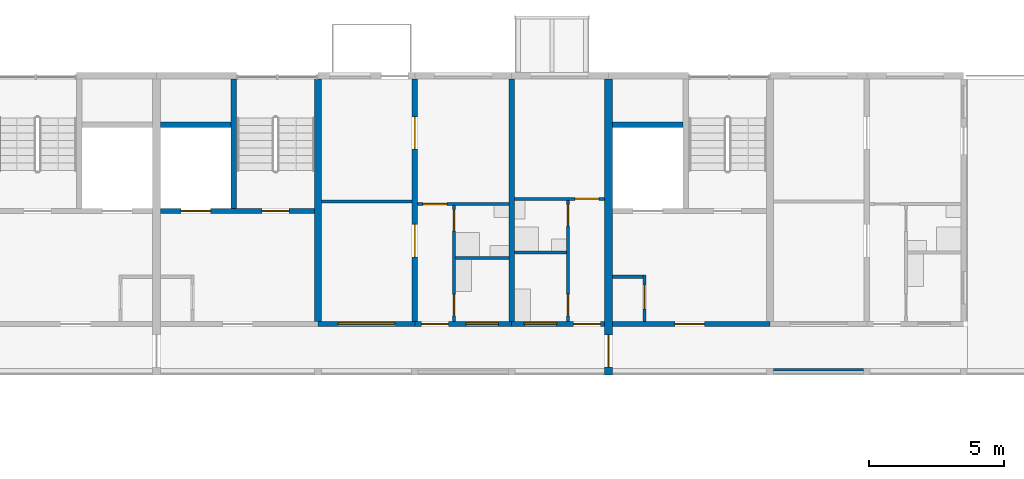
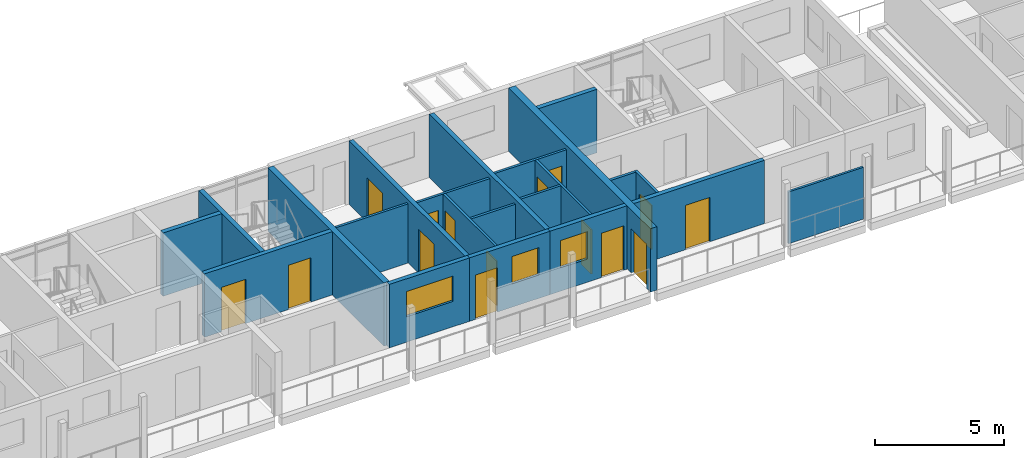
# One storey, part 35 of 93: 22 walls, 15 doors, 3 windows, 18 openings.
"""IFC4 building model written with IfcOpenShell, lengths in metres."""

from ifc_helpers import new_model, si_unit, direction, frame, frame_2d, origin, place, context, subcontext, project, spatial, rectangle, extrude, material, layer, layer_set, type_object, element, fill, save


model = new_model("IFC4")

# Units and contexts
model_context = context("Model", 3, precision=1e-05, world=origin(), true_north=direction((0.0, 1.0)))
body_context = subcontext(model_context, "Body", "Model", "MODEL_VIEW")
ifc_project = project(units=[si_unit("LENGTHUNIT", "METRE"), si_unit("AREAUNIT", "SQUARE_METRE"), si_unit("VOLUMEUNIT", "CUBIC_METRE"), si_unit("PLANEANGLEUNIT", "RADIAN"), si_unit("MASSUNIT", "GRAM", prefix="KILO")], contexts=[model_context])

# Site, building, storey
site_placement = place(None, origin())
site = spatial("IfcSite", under=ifc_project, at=site_placement, CompositionType="ELEMENT")
building_placement = place(site_placement, origin())
building = spatial("IfcBuilding", under=site, at=building_placement, Name="Ridgestep Commons", CompositionType="ELEMENT")
storey_placement = place(building_placement, frame((0.0, 0.0, 18.0)))
storey = spatial("IfcBuildingStorey", under=building, at=storey_placement, Name="L06", CompositionType="ELEMENT", Elevation=18.0)

# Wall
ifc_material_1 = material(Name="Concrete C30/37", Category="concrete")
ifc_layer_1 = layer(ifc_material_1, 0.25)
ifc_layer_set_1 = layer_set([ifc_layer_1], Name="Core cross wall 250")
wall_type_1 = type_object("IfcWallType", Name="Core cross wall 250", PredefinedType="SHEAR", material=ifc_layer_set_1)
wall_1_placement = place(storey_placement, frame((34.800048828125, 68.0, 0.0), z_axis=(0.0, 0.0, 1.0), x_axis=(0.0, 1.0, 0.0)))
element("IfcWall", 1, at=wall_1_placement, inside=storey, type_object=wall_type_1, Name="Cross wall B-06-0348", PredefinedType="SHEAR", context=body_context, shape_type="SweptSolid", body=[
    extrude(rectangle(XDim=9.0, YDim=0.25, at=frame_2d((4.5, 0.0))), origin(), (0.0, 0.0, 1.0), 3.0),
])

# Wall, opening, door
ifc_material_2 = material(Name="Concrete C30/37", Category="concrete")
ifc_layer_2 = layer(ifc_material_2, 0.199951171875)
ifc_layer_set_2 = layer_set([ifc_layer_2], Name="Core south wall 200")
wall_type_2 = type_object("IfcWallType", Name="Core south wall 200", PredefinedType="SHEAR", material=ifc_layer_set_2)
wall_2_placement = place(storey_placement, frame((45.75, 67.89990234375, 0.0), z_axis=(0.0, 0.0, 1.0), x_axis=(1.0, 0.0, 0.0)))
wall_2 = element("IfcWall", 2, at=wall_2_placement, inside=storey, type_object=wall_type_2, Name="Core south wall B3C L06", PredefinedType="SHEAR", context=body_context, shape_type="SweptSolid", body=[
    extrude(rectangle(XDim=5.85009765625, YDim=0.199951171875, at=frame_2d((2.925048828125, 0.0))), origin(), (0.0, 0.0, 1.0), 3.0),
])
opening_1_placement = place(wall_2_placement, frame((2.3125, 0.0, 0.0)))
opening_1 = element("IfcOpeningElement", 3, at=opening_1_placement, cuts=wall_2, Name="Opening B3C/06/1", PredefinedType="OPENING", context=body_context, shape_type="SweptSolid", body=[
    extrude(rectangle(XDim=1.10009765625, YDim=2.10009765625, at=frame_2d((0.550048828125, 1.050048828125))), frame((0.0, 0.10986328125, 0.0), z_axis=(0.0, -1.0, 0.0), x_axis=(1.0, 0.0, 0.0)), (0.0, 0.0, 1.0), 0.219970703125),
])
ifc_material_3 = material(Name="Steel fire door", Category="steel")
door_type_1 = type_object("IfcDoorType", Name="Lobby door 1100 x 2100 FD60", OperationType="NOTDEFINED", PredefinedType="DOOR", material=ifc_material_3)
door_1_placement = place(opening_1_placement, origin())
door_1 = element("IfcDoor", 4, at=door_1_placement, inside=storey, type_object=door_type_1, Name="Lobby door B3C/06/1", OperationType="SINGLE_SWING_LEFT", OverallHeight=2.10009765625, OverallWidth=1.10009765625, PredefinedType="DOOR", context=body_context, shape_type="SweptSolid", body=[
    extrude(rectangle(XDim=1.10009765625, YDim=2.10009765625, at=frame_2d((0.550048828125, 1.050048828125))), frame((0.0, 0.02490234375, 0.0), z_axis=(0.0, -1.0, 0.0), x_axis=(1.0, 0.0, 0.0)), (0.0, 0.0, 1.0), 0.050048828125),
])
fill(opening_1, door_1)

ifc_material_4 = material(Name="Concrete C30/37", Category="concrete")
ifc_layer_3 = layer(ifc_material_4, 0.1201171875)
ifc_layer_set_3 = layer_set([ifc_layer_3], Name="Core wall 120")
wall_type_3 = type_object("IfcWallType", Name="Core wall 120", PredefinedType="SHEAR", material=ifc_layer_set_3)
wall_3_placement = place(storey_placement, frame((46.93994140625, 68.0, 0.0), z_axis=(0.0, 0.0, 1.0), x_axis=(0.0, 1.0, 0.0)))
wall_3 = element("IfcWall", 5, at=wall_3_placement, inside=storey, type_object=wall_type_3, Name="Core riser w wall B3C L06", PredefinedType="SHEAR", context=body_context, shape_type="SweptSolid", body=[
    extrude(rectangle(XDim=1.719970703125, YDim=0.1201171875, at=frame_2d((0.85986328125, 0.0))), origin(), (0.0, 0.0, 1.0), 3.0),
])
opening_2_placement = place(wall_3_placement, frame((0.449951171875, 0.0, 0.0)))
opening_2 = element("IfcOpeningElement", 6, at=opening_2_placement, cuts=wall_3, Name="Opening B3C/06/4", PredefinedType="OPENING", context=body_context, shape_type="SweptSolid", body=[
    extrude(rectangle(XDim=0.89990234375, YDim=2.10009765625, at=frame_2d((0.449951171875, 1.050048828125))), frame((0.0, 0.070068359375, 0.0), z_axis=(0.0, -1.0, 0.0), x_axis=(1.0, 0.0, 0.0)), (0.0, 0.0, 1.0), 0.14013671875),
])
ifc_material_5 = material(Name="Steel fire door", Category="steel")
door_type_2 = type_object("IfcDoorType", Name="Riser door 900 x 2100 FD60", OperationType="NOTDEFINED", PredefinedType="DOOR", material=ifc_material_5)
door_2_placement = place(opening_2_placement, origin())
door_2 = element("IfcDoor", 7, at=door_2_placement, inside=storey, type_object=door_type_2, Name="Riser door B3C/06/4", OperationType="SINGLE_SWING_RIGHT", OverallHeight=2.10009765625, OverallWidth=0.89990234375, PredefinedType="DOOR", context=body_context, shape_type="SweptSolid", body=[
    extrude(rectangle(XDim=0.89990234375, YDim=2.10009765625, at=frame_2d((0.449951171875, 1.050048828125))), frame((0.0, 0.02490234375, 0.0), z_axis=(0.0, -1.0, 0.0), x_axis=(1.0, 0.0, 0.0)), (0.0, 0.0, 1.0), 0.050048828125),
])
fill(opening_2, door_2)

# Wall
wall_4_placement = place(storey_placement, frame((45.75, 69.659912109375, 0.0), z_axis=(0.0, 0.0, 1.0), x_axis=(1.0, 0.0, 0.0)))
element("IfcWall", 8, at=wall_4_placement, inside=storey, type_object=wall_type_3, Name="Core riser n wall B3C L06", PredefinedType="SHEAR", context=body_context, shape_type="SweptSolid", body=[
    extrude(rectangle(XDim=1.1298828125, YDim=0.1201171875, at=frame_2d((0.56494140625, 0.0))), origin(), (0.0, 0.0, 1.0), 3.0),
])

# Wall, openings, doors
ifc_material_6 = material(Name="Concrete C30/37", Category="concrete")
ifc_layer_4 = layer(ifc_material_6, 0.199951171875)
ifc_layer_set_4 = layer_set([ifc_layer_4], Name="Core wall 200")
wall_type_4 = type_object("IfcWallType", Name="Core wall 200", PredefinedType="SHEAR", material=ifc_layer_set_4)
wall_5_placement = place(storey_placement, frame((28.949951171875, 72.10009765625, 0.0), z_axis=(0.0, 0.0, 1.0), x_axis=(1.0, 0.0, 0.0)))
wall_5 = element("IfcWall", 9, at=wall_5_placement, inside=storey, type_object=wall_type_4, Name="Core lobby wall B2C L06", PredefinedType="SHEAR", context=body_context, shape_type="SweptSolid", body=[
    extrude(rectangle(XDim=5.72509765625, YDim=0.199951171875, at=frame_2d((2.862548828125, 0.0))), origin(), (0.0, 0.0, 1.0), 3.0),
])
opening_3_placement = place(wall_5_placement, frame((3.77490234375, 0.0, 0.0)))
opening_3 = element("IfcOpeningElement", 10, at=opening_3_placement, cuts=wall_5, Name="Opening B2C/06/2", PredefinedType="OPENING", context=body_context, shape_type="SweptSolid", body=[
    extrude(rectangle(XDim=1.0, YDim=2.10009765625, at=frame_2d((0.5, 1.050048828125))), frame((0.0, 0.10986328125, 0.0), z_axis=(0.0, -1.0, 0.0), x_axis=(1.0, 0.0, 0.0)), (0.0, 0.0, 1.0), 0.219970703125),
])
opening_4_placement = place(wall_5_placement, frame((0.762451171875, 0.0, 0.0)))
opening_4 = element("IfcOpeningElement", 11, at=opening_4_placement, cuts=wall_5, Name="Opening B2C/06/3", PredefinedType="OPENING", context=body_context, shape_type="SweptSolid", body=[
    extrude(rectangle(XDim=1.10009765625, YDim=2.10009765625, at=frame_2d((0.550048828125, 1.050048828125))), frame((0.0, 0.10986328125, 0.0), z_axis=(0.0, -1.0, 0.0), x_axis=(1.0, 0.0, 0.0)), (0.0, 0.0, 1.0), 0.219970703125),
])
ifc_material_7 = material(Name="Stainless steel", Category="steel")
door_type_3 = type_object("IfcDoorType", Name="Lift landing door 1100 x 2100 FD60", OperationType="DOUBLE_DOOR_SLIDING", PredefinedType="DOOR", material=ifc_material_7)
door_3_placement = place(opening_4_placement, origin())
door_3 = element("IfcDoor", 12, at=door_3_placement, inside=storey, type_object=door_type_3, Name="Landing door LD B2C L06", OperationType="DOUBLE_DOOR_SLIDING", OverallHeight=2.10009765625, OverallWidth=1.10009765625, PredefinedType="DOOR", context=body_context, shape_type="SweptSolid", body=[
    extrude(rectangle(XDim=1.10009765625, YDim=2.10009765625, at=frame_2d((0.550048828125, 1.050048828125))), frame((0.0, 0.02490234375, 0.0), z_axis=(0.0, -1.0, 0.0), x_axis=(1.0, 0.0, 0.0)), (0.0, 0.0, 1.0), 0.050048828125),
])
fill(opening_4, door_3)
ifc_material_8 = material(Name="Steel fire door", Category="steel")
door_type_4 = type_object("IfcDoorType", Name="Stair door 1000 x 2100 FD60", OperationType="NOTDEFINED", PredefinedType="DOOR", material=ifc_material_8)
door_4_placement = place(opening_3_placement, origin())
door_4 = element("IfcDoor", 13, at=door_4_placement, inside=storey, type_object=door_type_4, Name="Stair door B2C/06/2", OperationType="SINGLE_SWING_RIGHT", OverallHeight=2.10009765625, OverallWidth=1.0, PredefinedType="DOOR", context=body_context, shape_type="SweptSolid", body=[
    extrude(rectangle(XDim=1.0, YDim=2.10009765625, at=frame_2d((0.5, 1.050048828125))), frame((0.0, 0.02490234375, 0.0), z_axis=(0.0, -1.0, 0.0), x_axis=(1.0, 0.0, 0.0)), (0.0, 0.0, 1.0), 0.050048828125),
])
fill(opening_3, door_4)

# Walls
wall_6_placement = place(storey_placement, frame((31.675048828125, 72.199951171875, 0.0), z_axis=(0.0, 0.0, 1.0), x_axis=(0.0, 1.0, 0.0)))
element("IfcWall", 14, at=wall_6_placement, inside=storey, type_object=wall_type_4, Name="Core stair wall B2C L06", PredefinedType="SHEAR", context=body_context, shape_type="SweptSolid", body=[
    extrude(rectangle(XDim=4.800048828125, YDim=0.199951171875, at=frame_2d((2.39990234375, 0.0))), origin(), (0.0, 0.0, 1.0), 3.0),
])
for number, where, z_axis, x_axis, name in (
    (15, (28.949951171875, 75.300048828125, 0.0), (0.0, 0.0, 1.0), (1.0, 0.0, 0.0), "Core duct wall B2C L06"),
    (16, (45.75, 75.300048828125, 0.0), (0.0, 0.0, 1.0), (1.0, 0.0, 0.0), "Core duct wall B3C L06"),
):
    element("IfcWall", number, at=place(storey_placement, frame(where, z_axis=z_axis, x_axis=x_axis)), inside=storey, type_object=wall_type_4, Name=name, PredefinedType="SHEAR", context=body_context, shape_type="SweptSolid", body=[
        extrude(rectangle(XDim=2.625, YDim=0.199951171875, at=frame_2d((1.3125, 0.0))), origin(), (0.0, 0.0, 1.0), 3.0),
    ])

# Wall, openings, doors
ifc_material_9 = material(Name="Precast concrete C40/50", Category="concrete")
ifc_layer_5 = layer(ifc_material_9, 0.199951171875)
ifc_layer_set_5 = layer_set([ifc_layer_5], Name="Cross wall 200")
wall_type_5 = type_object("IfcWallType", Name="Cross wall 200", PredefinedType="SHEAR", material=ifc_layer_set_5)
wall_7_placement = place(storey_placement, frame((38.39990234375, 68.0, 0.0), z_axis=(0.0, 0.0, 1.0), x_axis=(0.0, 1.0, 0.0)))
wall_7 = element("IfcWall", 17, at=wall_7_placement, inside=storey, type_object=wall_type_5, Name="Cross wall B-06-0384", PredefinedType="SHEAR", context=body_context, shape_type="SweptSolid", body=[
    extrude(rectangle(XDim=9.0, YDim=0.199951171875, at=frame_2d((4.5, 0.0))), origin(), (0.0, 0.0, 1.0), 3.0),
])
opening_5_placement = place(wall_7_placement, frame((2.39990234375, 0.0, 0.0)))
opening_5 = element("IfcOpeningElement", 18, at=opening_5_placement, cuts=wall_7, Name="Opening B2-06b/5", PredefinedType="OPENING", context=body_context, shape_type="SweptSolid", body=[
    extrude(rectangle(XDim=1.199951171875, YDim=2.10009765625, at=frame_2d((0.60009765625, 1.050048828125))), frame((0.0, 0.10986328125, 0.0), z_axis=(0.0, -1.0, 0.0), x_axis=(1.0, 0.0, 0.0)), (0.0, 0.0, 1.0), 0.219970703125),
])
opening_6_placement = place(wall_7_placement, frame((6.39990234375, 0.0, 0.0)))
opening_6 = element("IfcOpeningElement", 19, at=opening_6_placement, cuts=wall_7, Name="Opening B2-06b/6", PredefinedType="OPENING", context=body_context, shape_type="SweptSolid", body=[
    extrude(rectangle(XDim=1.199951171875, YDim=2.10009765625, at=frame_2d((0.60009765625, 1.050048828125))), frame((0.0, 0.10986328125, 0.0), z_axis=(0.0, -1.0, 0.0), x_axis=(1.0, 0.0, 0.0)), (0.0, 0.0, 1.0), 0.219970703125),
])
ifc_material_10 = material(Name="Timber door leaf", Category="wood")
door_type_5 = type_object("IfcDoorType", Name="Double door 1200 x 2100", OperationType="DOUBLE_DOOR_SINGLE_SWING", PredefinedType="DOOR", material=ifc_material_10)
door_5_placement = place(opening_5_placement, origin())
door_5 = element("IfcDoor", 20, at=door_5_placement, inside=storey, type_object=door_type_5, Name="Double door B2-06b/5", OperationType="DOUBLE_DOOR_SINGLE_SWING", OverallHeight=2.10009765625, OverallWidth=1.199951171875, PredefinedType="DOOR", context=body_context, shape_type="SweptSolid", body=[
    extrude(rectangle(XDim=1.199951171875, YDim=2.10009765625, at=frame_2d((0.60009765625, 1.050048828125))), frame((0.0, 0.02490234375, 0.0), z_axis=(0.0, -1.0, 0.0), x_axis=(1.0, 0.0, 0.0)), (0.0, 0.0, 1.0), 0.050048828125),
])
fill(opening_5, door_5)
door_6_placement = place(opening_6_placement, origin())
door_6 = element("IfcDoor", 21, at=door_6_placement, inside=storey, type_object=door_type_5, Name="Double door B2-06b/6", OperationType="DOUBLE_DOOR_SINGLE_SWING", OverallHeight=2.10009765625, OverallWidth=1.199951171875, PredefinedType="DOOR", context=body_context, shape_type="SweptSolid", body=[
    extrude(rectangle(XDim=1.199951171875, YDim=2.10009765625, at=frame_2d((0.60009765625, 1.050048828125))), frame((0.0, 0.02490234375, 0.0), z_axis=(0.0, -1.0, 0.0), x_axis=(1.0, 0.0, 0.0)), (0.0, 0.0, 1.0), 0.050048828125),
])
fill(opening_6, door_6)

# Wall
wall_8_placement = place(storey_placement, frame((42.0, 68.0, 0.0), z_axis=(0.0, 0.0, 1.0), x_axis=(0.0, 1.0, 0.0)))
element("IfcWall", 22, at=wall_8_placement, inside=storey, type_object=wall_type_5, Name="Cross wall B-06-0420", PredefinedType="SHEAR", context=body_context, shape_type="SweptSolid", body=[
    extrude(rectangle(XDim=9.0, YDim=0.199951171875, at=frame_2d((4.5, 0.0))), origin(), (0.0, 0.0, 1.0), 3.0),
])

# Wall, opening, door
ifc_material_11 = material(Name="Precast concrete C40/50", Category="concrete")
ifc_layer_6 = layer(ifc_material_11, 0.300048828125)
ifc_layer_set_6 = layer_set([ifc_layer_6], Name="Division wall 300")
wall_type_6 = type_object("IfcWallType", Name="Division wall 300", PredefinedType="SHEAR", material=ifc_layer_set_6)
wall_9_placement = place(storey_placement, frame((45.60009765625, 66.0, 0.0), z_axis=(0.0, 0.0, 1.0), x_axis=(0.0, 1.0, 0.0)))
wall_9 = element("IfcWall", 23, at=wall_9_placement, inside=storey, type_object=wall_type_6, Name="Cross wall B-06-0456", PredefinedType="SHEAR", context=body_context, shape_type="SweptSolid", body=[
    extrude(rectangle(XDim=11.0, YDim=0.300048828125, at=frame_2d((5.5, 0.0))), origin(), (0.0, 0.0, 1.0), 3.0),
])
opening_7_placement = place(wall_9_placement, frame((0.300048828125, 0.0, 0.0)))
opening_7 = element("IfcOpeningElement", 24, at=opening_7_placement, cuts=wall_9, Name="Opening B/06/G0456", PredefinedType="OPENING", context=body_context, shape_type="SweptSolid", body=[
    extrude(rectangle(XDim=1.199951171875, YDim=2.10009765625, at=frame_2d((0.60009765625, 1.050048828125))), frame((0.0, 0.159912109375, 0.0), z_axis=(0.0, -1.0, 0.0), x_axis=(1.0, 0.0, 0.0)), (0.0, 0.0, 1.0), 0.320068359375),
])
ifc_material_12 = material(Name="Steel fire door", Category="steel")
door_type_6 = type_object("IfcDoorType", Name="Division fire door 1200 x 2100 EI 240", OperationType="DOUBLE_DOOR_SINGLE_SWING", PredefinedType="DOOR", material=ifc_material_12)
door_7_placement = place(opening_7_placement, origin())
door_7 = element("IfcDoor", 25, at=door_7_placement, inside=storey, type_object=door_type_6, Name="Division fire door B/06/G0456", OperationType="DOUBLE_DOOR_SINGLE_SWING", OverallHeight=2.10009765625, OverallWidth=1.199951171875, PredefinedType="DOOR", context=body_context, shape_type="SweptSolid", body=[
    extrude(rectangle(XDim=1.199951171875, YDim=2.10009765625, at=frame_2d((0.60009765625, 1.050048828125))), frame((0.0, 0.02490234375, 0.0), z_axis=(0.0, -1.0, 0.0), x_axis=(1.0, 0.0, 0.0)), (0.0, 0.0, 1.0), 0.050048828125),
])
fill(opening_7, door_7)

# Wall
ifc_material_13 = material(Name="Common brick 110 mm", Category="masonry")
ifc_layer_7 = layer(ifc_material_13, 0.110107421875)
ifc_layer_set_7 = layer_set([ifc_layer_7], Name="Partition 110")
wall_type_7 = type_object("IfcWallType", Name="Partition 110", PredefinedType="PARTITIONING", material=ifc_layer_set_7)
wall_10_placement = place(storey_placement, frame((42.10009765625, 70.554931640625, 0.0), z_axis=(0.0, 0.0, 1.0), x_axis=(1.0, 0.0, 0.0)))
element("IfcWall", 26, at=wall_10_placement, inside=storey, type_object=wall_type_7, Name="Partition B2-06a", PredefinedType="PARTITIONING", context=body_context, shape_type="SweptSolid", body=[
    extrude(rectangle(XDim=1.93994140625, YDim=0.110107421875, at=frame_2d((0.969970703125, 0.0))), origin(), (0.0, 0.0, 1.0), 2.800048828125),
])

# Wall, openings, doors
wall_11_placement = place(storey_placement, frame((44.094970703125, 68.0, 0.0), z_axis=(0.0, 0.0, 1.0), x_axis=(0.0, 1.0, 0.0)))
wall_11 = element("IfcWall", 27, at=wall_11_placement, inside=storey, type_object=wall_type_7, Name="Partition B2-06a", PredefinedType="PARTITIONING", context=body_context, shape_type="SweptSolid", body=[
    extrude(rectangle(XDim=4.5, YDim=0.110107421875, at=frame_2d((2.25, 0.0))), origin(), (0.0, 0.0, 1.0), 2.800048828125),
])
opening_8_placement = place(wall_11_placement, frame((0.199951171875, 0.0, 0.0)))
opening_8 = element("IfcOpeningElement", 28, at=opening_8_placement, cuts=wall_11, Name="Opening B2-06a/2", PredefinedType="OPENING", context=body_context, shape_type="SweptSolid", body=[
    extrude(rectangle(XDim=0.800048828125, YDim=2.10009765625, at=frame_2d((0.39990234375, 1.050048828125))), frame((0.0, 0.06494140625, 0.0), z_axis=(0.0, -1.0, 0.0), x_axis=(1.0, 0.0, 0.0)), (0.0, 0.0, 1.0), 0.130126953125),
])
opening_9_placement = place(wall_11_placement, frame((3.550048828125, 0.0, 0.0)))
opening_9 = element("IfcOpeningElement", 29, at=opening_9_placement, cuts=wall_11, Name="Opening B2-06a/3", PredefinedType="OPENING", context=body_context, shape_type="SweptSolid", body=[
    extrude(rectangle(XDim=0.800048828125, YDim=2.10009765625, at=frame_2d((0.39990234375, 1.050048828125))), frame((0.0, 0.06494140625, 0.0), z_axis=(0.0, -1.0, 0.0), x_axis=(1.0, 0.0, 0.0)), (0.0, 0.0, 1.0), 0.130126953125),
])
ifc_material_14 = material(Name="Timber door leaf", Category="wood")
door_type_7 = type_object("IfcDoorType", Name="Internal door 800 x 2100", OperationType="NOTDEFINED", PredefinedType="DOOR", material=ifc_material_14)
door_8_placement = place(opening_8_placement, origin())
door_8 = element("IfcDoor", 30, at=door_8_placement, inside=storey, type_object=door_type_7, Name="Internal door B2-06a/2", OperationType="SINGLE_SWING_LEFT", OverallHeight=2.10009765625, OverallWidth=0.800048828125, PredefinedType="DOOR", context=body_context, shape_type="SweptSolid", body=[
    extrude(rectangle(XDim=0.800048828125, YDim=2.10009765625, at=frame_2d((0.39990234375, 1.050048828125))), frame((0.0, 0.02490234375, 0.0), z_axis=(0.0, -1.0, 0.0), x_axis=(1.0, 0.0, 0.0)), (0.0, 0.0, 1.0), 0.050048828125),
])
fill(opening_8, door_8)
door_9_placement = place(opening_9_placement, origin())
door_9 = element("IfcDoor", 31, at=door_9_placement, inside=storey, type_object=door_type_7, Name="Internal door B2-06a/3", OperationType="SINGLE_SWING_RIGHT", OverallHeight=2.10009765625, OverallWidth=0.800048828125, PredefinedType="DOOR", context=body_context, shape_type="SweptSolid", body=[
    extrude(rectangle(XDim=0.800048828125, YDim=2.10009765625, at=frame_2d((0.39990234375, 1.050048828125))), frame((0.0, 0.02490234375, 0.0), z_axis=(0.0, -1.0, 0.0), x_axis=(1.0, 0.0, 0.0)), (0.0, 0.0, 1.0), 0.050048828125),
])
fill(opening_9, door_9)

# Wall, opening, door
wall_12_placement = place(storey_placement, frame((42.10009765625, 72.554931640625, 0.0), z_axis=(0.0, 0.0, 1.0), x_axis=(1.0, 0.0, 0.0)))
wall_12 = element("IfcWall", 32, at=wall_12_placement, inside=storey, type_object=wall_type_7, Name="Partition B2-06a", PredefinedType="PARTITIONING", context=body_context, shape_type="SweptSolid", body=[
    extrude(rectangle(XDim=3.349853515625, YDim=0.110107421875, at=frame_2d((1.6748046875, 0.0))), origin(), (0.0, 0.0, 1.0), 2.800048828125),
])
opening_10_placement = place(wall_12_placement, frame((2.25, 0.0, 0.0)))
opening_10 = element("IfcOpeningElement", 33, at=opening_10_placement, cuts=wall_12, Name="Opening B2-06a/4", PredefinedType="OPENING", context=body_context, shape_type="SweptSolid", body=[
    extrude(rectangle(XDim=0.89990234375, YDim=2.10009765625, at=frame_2d((0.449951171875, 1.050048828125))), frame((0.0, 0.06494140625, 0.0), z_axis=(0.0, -1.0, 0.0), x_axis=(1.0, 0.0, 0.0)), (0.0, 0.0, 1.0), 0.130126953125),
])
ifc_material_15 = material(Name="Timber door leaf", Category="wood")
door_type_8 = type_object("IfcDoorType", Name="Internal door 900 x 2100", OperationType="NOTDEFINED", PredefinedType="DOOR", material=ifc_material_15)
door_10_placement = place(opening_10_placement, origin())
door_10 = element("IfcDoor", 34, at=door_10_placement, inside=storey, type_object=door_type_8, Name="Internal door B2-06a/4", OperationType="SINGLE_SWING_LEFT", OverallHeight=2.10009765625, OverallWidth=0.89990234375, PredefinedType="DOOR", context=body_context, shape_type="SweptSolid", body=[
    extrude(rectangle(XDim=0.89990234375, YDim=2.10009765625, at=frame_2d((0.449951171875, 1.050048828125))), frame((0.0, 0.02490234375, 0.0), z_axis=(0.0, -1.0, 0.0), x_axis=(1.0, 0.0, 0.0)), (0.0, 0.0, 1.0), 0.050048828125),
])
fill(opening_10, door_10)

# Wall, openings, doors
wall_13_placement = place(storey_placement, frame((39.85498046875, 68.0, 0.0), z_axis=(0.0, 0.0, 1.0), x_axis=(0.0, 1.0, 0.0)))
wall_13 = element("IfcWall", 35, at=wall_13_placement, inside=storey, type_object=wall_type_7, Name="Partition B2-06b", PredefinedType="PARTITIONING", context=body_context, shape_type="SweptSolid", body=[
    extrude(rectangle(XDim=4.300048828125, YDim=0.110107421875, at=frame_2d((2.14990234375, 0.0))), origin(), (0.0, 0.0, 1.0), 2.800048828125),
])
opening_11_placement = place(wall_13_placement, frame((0.199951171875, 0.0, 0.0)))
opening_11 = element("IfcOpeningElement", 36, at=opening_11_placement, cuts=wall_13, Name="Opening B2-06b/2", PredefinedType="OPENING", context=body_context, shape_type="SweptSolid", body=[
    extrude(rectangle(XDim=0.800048828125, YDim=2.10009765625, at=frame_2d((0.39990234375, 1.050048828125))), frame((0.0, 0.06494140625, 0.0), z_axis=(0.0, -1.0, 0.0), x_axis=(1.0, 0.0, 0.0)), (0.0, 0.0, 1.0), 0.130126953125),
])
opening_12_placement = place(wall_13_placement, frame((3.35009765625, 0.0, 0.0)))
opening_12 = element("IfcOpeningElement", 37, at=opening_12_placement, cuts=wall_13, Name="Opening B2-06b/3", PredefinedType="OPENING", context=body_context, shape_type="SweptSolid", body=[
    extrude(rectangle(XDim=0.800048828125, YDim=2.10009765625, at=frame_2d((0.39990234375, 1.050048828125))), frame((0.0, 0.06494140625, 0.0), z_axis=(0.0, -1.0, 0.0), x_axis=(1.0, 0.0, 0.0)), (0.0, 0.0, 1.0), 0.130126953125),
])
door_11_placement = place(opening_11_placement, origin())
door_11 = element("IfcDoor", 38, at=door_11_placement, inside=storey, type_object=door_type_7, Name="Internal door B2-06b/2", OperationType="SINGLE_SWING_RIGHT", OverallHeight=2.10009765625, OverallWidth=0.800048828125, PredefinedType="DOOR", context=body_context, shape_type="SweptSolid", body=[
    extrude(rectangle(XDim=0.800048828125, YDim=2.10009765625, at=frame_2d((0.39990234375, 1.050048828125))), frame((0.0, 0.02490234375, 0.0), z_axis=(0.0, -1.0, 0.0), x_axis=(1.0, 0.0, 0.0)), (0.0, 0.0, 1.0), 0.050048828125),
])
fill(opening_11, door_11)
door_12_placement = place(opening_12_placement, origin())
door_12 = element("IfcDoor", 39, at=door_12_placement, inside=storey, type_object=door_type_7, Name="Internal door B2-06b/3", OperationType="SINGLE_SWING_LEFT", OverallHeight=2.10009765625, OverallWidth=0.800048828125, PredefinedType="DOOR", context=body_context, shape_type="SweptSolid", body=[
    extrude(rectangle(XDim=0.800048828125, YDim=2.10009765625, at=frame_2d((0.39990234375, 1.050048828125))), frame((0.0, 0.02490234375, 0.0), z_axis=(0.0, -1.0, 0.0), x_axis=(1.0, 0.0, 0.0)), (0.0, 0.0, 1.0), 0.050048828125),
])
fill(opening_12, door_12)

# Wall
wall_14_placement = place(storey_placement, frame((39.909912109375, 70.35498046875, 0.0), z_axis=(0.0, 0.0, 1.0), x_axis=(1.0, 0.0, 0.0)))
element("IfcWall", 40, at=wall_14_placement, inside=storey, type_object=wall_type_7, Name="Partition B2-06b", PredefinedType="PARTITIONING", context=body_context, shape_type="SweptSolid", body=[
    extrude(rectangle(XDim=1.989990234375, YDim=0.110107421875, at=frame_2d((0.9951171875, 0.0))), origin(), (0.0, 0.0, 1.0), 2.800048828125),
])

# Wall, opening, door
wall_15_placement = place(storey_placement, frame((38.5, 72.35498046875, 0.0), z_axis=(0.0, 0.0, 1.0), x_axis=(1.0, 0.0, 0.0)))
wall_15 = element("IfcWall", 41, at=wall_15_placement, inside=storey, type_object=wall_type_7, Name="Partition B2-06b", PredefinedType="PARTITIONING", context=body_context, shape_type="SweptSolid", body=[
    extrude(rectangle(XDim=3.39990234375, YDim=0.110107421875, at=frame_2d((1.699951171875, 0.0))), origin(), (0.0, 0.0, 1.0), 2.800048828125),
])
opening_13_placement = place(wall_15_placement, frame((0.199951171875, 0.0, 0.0)))
opening_13 = element("IfcOpeningElement", 42, at=opening_13_placement, cuts=wall_15, Name="Opening B2-06b/4", PredefinedType="OPENING", context=body_context, shape_type="SweptSolid", body=[
    extrude(rectangle(XDim=0.89990234375, YDim=2.10009765625, at=frame_2d((0.449951171875, 1.050048828125))), frame((0.0, 0.06494140625, 0.0), z_axis=(0.0, -1.0, 0.0), x_axis=(1.0, 0.0, 0.0)), (0.0, 0.0, 1.0), 0.130126953125),
])
door_13_placement = place(opening_13_placement, origin())
door_13 = element("IfcDoor", 43, at=door_13_placement, inside=storey, type_object=door_type_8, Name="Internal door B2-06b/4", OperationType="SINGLE_SWING_LEFT", OverallHeight=2.10009765625, OverallWidth=0.89990234375, PredefinedType="DOOR", context=body_context, shape_type="SweptSolid", body=[
    extrude(rectangle(XDim=0.89990234375, YDim=2.10009765625, at=frame_2d((0.449951171875, 1.050048828125))), frame((0.0, 0.02490234375, 0.0), z_axis=(0.0, -1.0, 0.0), x_axis=(1.0, 0.0, 0.0)), (0.0, 0.0, 1.0), 0.050048828125),
])
fill(opening_13, door_13)

# Walls
wall_16_placement = place(storey_placement, frame((34.925048828125, 72.455078125, 0.0), z_axis=(0.0, 0.0, 1.0), x_axis=(1.0, 0.0, 0.0)))
element("IfcWall", 44, at=wall_16_placement, inside=storey, type_object=wall_type_7, Name="Partition B2-06b", PredefinedType="PARTITIONING", context=body_context, shape_type="SweptSolid", body=[
    extrude(rectangle(XDim=3.375, YDim=0.110107421875, at=frame_2d((1.6875, 0.0))), origin(), (0.0, 0.0, 1.0), 2.800048828125),
])
ifc_material_16 = material(Name="Precast concrete C30/37", Category="concrete")
ifc_layer_8 = layer(ifc_material_16, 0.10009765625)
ifc_layer_set_8 = layer_set([ifc_layer_8], Name="Perforated gallery screen 3350 x 2450 x 100")
wall_type_8 = type_object("IfcWallType", Name="Perforated gallery screen 3350 x 2450 x 100", PredefinedType="SOLIDWALL", material=ifc_layer_set_8)
wall_17_placement = place(storey_placement, frame((51.72509765625, 66.199951171875, 0.0), z_axis=(0.0, 0.0, 1.0), x_axis=(1.0, 0.0, 0.0)))
element("IfcWall", 45, at=wall_17_placement, inside=storey, type_object=wall_type_8, Name="Gallery screen B3T3 06", PredefinedType="SOLIDWALL", context=body_context, shape_type="SweptSolid", body=[
    extrude(rectangle(XDim=3.349853515625, YDim=0.10009765625, at=frame_2d((1.6748046875, 0.0))), origin(), (0.0, 0.0, 1.0), 2.449951171875),
])

# Wall, opening, window
ifc_material_17 = material(Name="Precast concrete C40/50", Category="concrete")
ifc_layer_9 = layer(ifc_material_17, 0.199951171875)
ifc_layer_set_9 = layer_set([ifc_layer_9], Name="South facade panel 200")
wall_type_9 = type_object("IfcWallType", Name="South facade panel 200", PredefinedType="SOLIDWALL", material=ifc_layer_set_9)
wall_18_placement = place(storey_placement, frame((34.800048828125, 67.89990234375, 0.0), z_axis=(0.0, 0.0, 1.0), x_axis=(1.0, 0.0, 0.0)))
wall_18 = element("IfcWall", 46, at=wall_18_placement, inside=storey, type_object=wall_type_9, Name="South panel B2T3 L06", PredefinedType="SOLIDWALL", context=body_context, shape_type="SweptSolid", body=[
    extrude(rectangle(XDim=3.599853515625, YDim=0.199951171875, at=frame_2d((1.7998046875, 0.0))), origin(), (0.0, 0.0, 1.0), 3.0),
])
opening_14_placement = place(wall_18_placement, frame((0.762451171875, 0.0, 1.199951171875)))
opening_14 = element("IfcOpeningElement", 47, at=opening_14_placement, cuts=wall_18, Name="Opening W22", PredefinedType="OPENING", context=body_context, shape_type="SweptSolid", body=[
    extrude(rectangle(XDim=2.10009765625, YDim=1.199951171875, at=frame_2d((1.050048828125, 0.60009765625))), frame((0.0, 0.10986328125, 0.0), z_axis=(0.0, -1.0, 0.0), x_axis=(1.0, 0.0, 0.0)), (0.0, 0.0, 1.0), 0.219970703125),
])
ifc_material_18 = material(Name="Aluminium 6063-T6 and glass", Category="aluminium")
window_type_1 = type_object("IfcWindowType", Name="Flat window 2100 x 1200", PartitioningType="DOUBLE_PANEL_VERTICAL", PredefinedType="WINDOW", material=ifc_material_18)
window_1_placement = place(opening_14_placement, origin())
window_1 = element("IfcWindow", 48, at=window_1_placement, inside=storey, type_object=window_type_1, Name="Window B2-06b 1", OverallHeight=1.199951171875, OverallWidth=2.10009765625, PartitioningType="SINGLE_PANEL", PredefinedType="WINDOW", context=body_context, shape_type="SweptSolid", body=[
    extrude(rectangle(XDim=2.10009765625, YDim=1.199951171875, at=frame_2d((1.050048828125, 0.60009765625))), frame((0.0, 0.06005859375, 0.0), z_axis=(0.0, -1.0, 0.0), x_axis=(1.0, 0.0, 0.0)), (0.0, 0.0, 1.0), 0.06005859375),
])
fill(opening_14, window_1)

# Wall, openings, door, window
wall_19_placement = place(storey_placement, frame((38.39990234375, 67.89990234375, 0.0), z_axis=(0.0, 0.0, 1.0), x_axis=(1.0, 0.0, 0.0)))
wall_19 = element("IfcWall", 49, at=wall_19_placement, inside=storey, type_object=wall_type_9, Name="South panel B2T2 L06", PredefinedType="SOLIDWALL", context=body_context, shape_type="SweptSolid", body=[
    extrude(rectangle(XDim=3.60009765625, YDim=0.199951171875, at=frame_2d((1.800048828125, 0.0))), origin(), (0.0, 0.0, 1.0), 3.0),
])
opening_15_placement = place(wall_19_placement, frame((1.905029296875, 0.0, 1.10009765625)))
opening_15 = element("IfcOpeningElement", 50, at=opening_15_placement, cuts=wall_19, Name="Opening W08", PredefinedType="OPENING", context=body_context, shape_type="SweptSolid", body=[
    extrude(rectangle(XDim=1.199951171875, YDim=1.300048828125, at=frame_2d((0.60009765625, 0.64990234375))), frame((0.0, 0.10986328125, 0.0), z_axis=(0.0, -1.0, 0.0), x_axis=(1.0, 0.0, 0.0)), (0.0, 0.0, 1.0), 0.219970703125),
])
opening_16_placement = place(wall_19_placement, frame((0.25, 0.0, 0.0)))
opening_16 = element("IfcOpeningElement", 51, at=opening_16_placement, cuts=wall_19, Name="Opening B2-06b/1", PredefinedType="OPENING", context=body_context, shape_type="SweptSolid", body=[
    extrude(rectangle(XDim=1.0, YDim=2.10009765625, at=frame_2d((0.5, 1.050048828125))), frame((0.0, 0.10986328125, 0.0), z_axis=(0.0, -1.0, 0.0), x_axis=(1.0, 0.0, 0.0)), (0.0, 0.0, 1.0), 0.219970703125),
])
ifc_material_19 = material(Name="Timber door leaf", Category="wood")
door_type_9 = type_object("IfcDoorType", Name="Flat entrance door 1000 x 2100 FD30S", OperationType="NOTDEFINED", PredefinedType="DOOR", material=ifc_material_19)
door_14_placement = place(opening_16_placement, origin())
door_14 = element("IfcDoor", 52, at=door_14_placement, inside=storey, type_object=door_type_9, Name="Flat entrance door B2-06b/1", OperationType="SINGLE_SWING_LEFT", OverallHeight=2.10009765625, OverallWidth=1.0, PredefinedType="DOOR", context=body_context, shape_type="SweptSolid", body=[
    extrude(rectangle(XDim=1.0, YDim=2.10009765625, at=frame_2d((0.5, 1.050048828125))), frame((0.0, 0.02490234375, 0.0), z_axis=(0.0, -1.0, 0.0), x_axis=(1.0, 0.0, 0.0)), (0.0, 0.0, 1.0), 0.050048828125),
])
fill(opening_16, door_14)
ifc_material_20 = material(Name="Aluminium 6063-T6 and glass", Category="aluminium")
window_type_2 = type_object("IfcWindowType", Name="Flat window 1200 x 1300", PartitioningType="SINGLE_PANEL", PredefinedType="WINDOW", material=ifc_material_20)
window_2_placement = place(opening_15_placement, origin())
window_2 = element("IfcWindow", 53, at=window_2_placement, inside=storey, type_object=window_type_2, Name="Window B2-06b 3", OverallHeight=1.300048828125, OverallWidth=1.199951171875, PartitioningType="SINGLE_PANEL", PredefinedType="WINDOW", context=body_context, shape_type="SweptSolid", body=[
    extrude(rectangle(XDim=1.199951171875, YDim=1.300048828125, at=frame_2d((0.60009765625, 0.64990234375))), frame((0.0, 0.06005859375, 0.0), z_axis=(0.0, -1.0, 0.0), x_axis=(1.0, 0.0, 0.0)), (0.0, 0.0, 1.0), 0.06005859375),
])
fill(opening_15, window_2)

wall_20_placement = place(storey_placement, frame((42.0, 67.89990234375, 0.0), z_axis=(0.0, 0.0, 1.0), x_axis=(1.0, 0.0, 0.0)))
wall_20 = element("IfcWall", 54, at=wall_20_placement, inside=storey, type_object=wall_type_9, Name="South panel B2T1 L06", PredefinedType="SOLIDWALL", context=body_context, shape_type="SweptSolid", body=[
    extrude(rectangle(XDim=3.449951171875, YDim=0.199951171875, at=frame_2d((1.72509765625, 0.0))), origin(), (0.0, 0.0, 1.0), 3.0),
])
opening_17_placement = place(wall_20_placement, frame((0.469970703125, 0.0, 1.10009765625)))
opening_17 = element("IfcOpeningElement", 55, at=opening_17_placement, cuts=wall_20, Name="Opening W08", PredefinedType="OPENING", context=body_context, shape_type="SweptSolid", body=[
    extrude(rectangle(XDim=1.199951171875, YDim=1.300048828125, at=frame_2d((0.60009765625, 0.64990234375))), frame((0.0, 0.10986328125, 0.0), z_axis=(0.0, -1.0, 0.0), x_axis=(1.0, 0.0, 0.0)), (0.0, 0.0, 1.0), 0.219970703125),
])
opening_18_placement = place(wall_20_placement, frame((2.300048828125, 0.0, 0.0)))
opening_18 = element("IfcOpeningElement", 56, at=opening_18_placement, cuts=wall_20, Name="Opening B2-06a/1", PredefinedType="OPENING", context=body_context, shape_type="SweptSolid", body=[
    extrude(rectangle(XDim=1.0, YDim=2.10009765625, at=frame_2d((0.5, 1.050048828125))), frame((0.0, 0.10986328125, 0.0), z_axis=(0.0, -1.0, 0.0), x_axis=(1.0, 0.0, 0.0)), (0.0, 0.0, 1.0), 0.219970703125),
])
door_15_placement = place(opening_18_placement, origin())
door_15 = element("IfcDoor", 57, at=door_15_placement, inside=storey, type_object=door_type_9, Name="Flat entrance door B2-06a/1", OperationType="SINGLE_SWING_RIGHT", OverallHeight=2.10009765625, OverallWidth=1.0, PredefinedType="DOOR", context=body_context, shape_type="SweptSolid", body=[
    extrude(rectangle(XDim=1.0, YDim=2.10009765625, at=frame_2d((0.5, 1.050048828125))), frame((0.0, 0.02490234375, 0.0), z_axis=(0.0, -1.0, 0.0), x_axis=(1.0, 0.0, 0.0)), (0.0, 0.0, 1.0), 0.050048828125),
])
fill(opening_18, door_15)
window_3_placement = place(opening_17_placement, origin())
window_3 = element("IfcWindow", 58, at=window_3_placement, inside=storey, type_object=window_type_2, Name="Window B2-06a 1", OverallHeight=1.300048828125, OverallWidth=1.199951171875, PartitioningType="SINGLE_PANEL", PredefinedType="WINDOW", context=body_context, shape_type="SweptSolid", body=[
    extrude(rectangle(XDim=1.199951171875, YDim=1.300048828125, at=frame_2d((0.60009765625, 0.64990234375))), frame((0.0, 0.06005859375, 0.0), z_axis=(0.0, -1.0, 0.0), x_axis=(1.0, 0.0, 0.0)), (0.0, 0.0, 1.0), 0.06005859375),
])
fill(opening_17, window_3)

save(model, "model.ifc")
